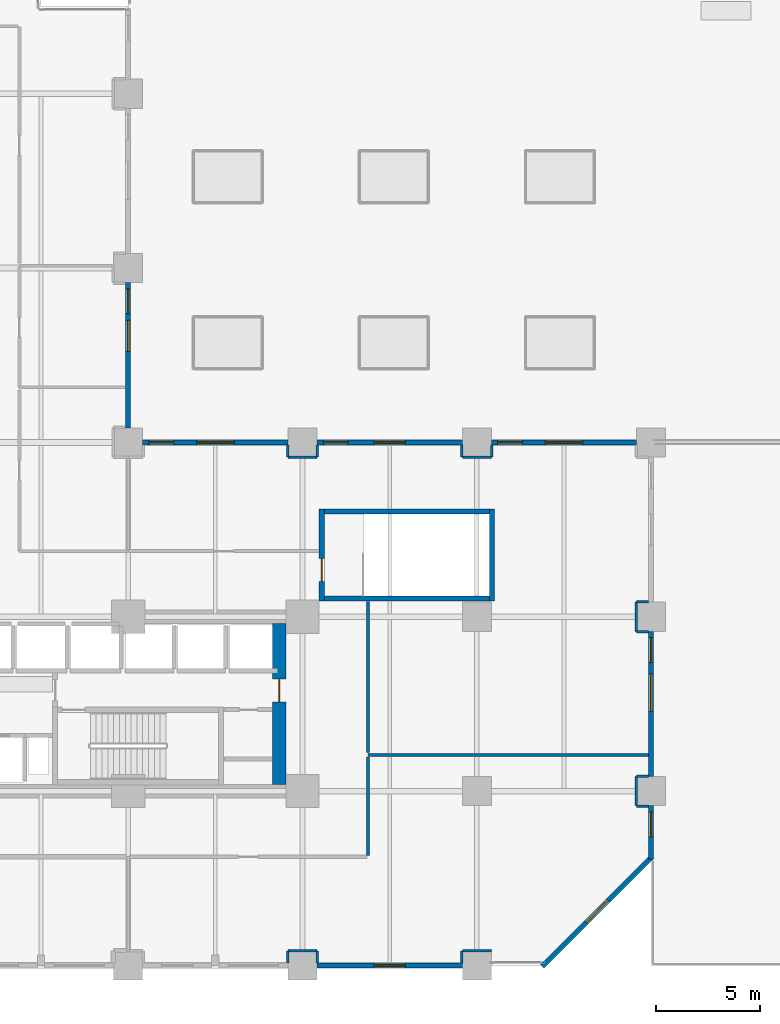
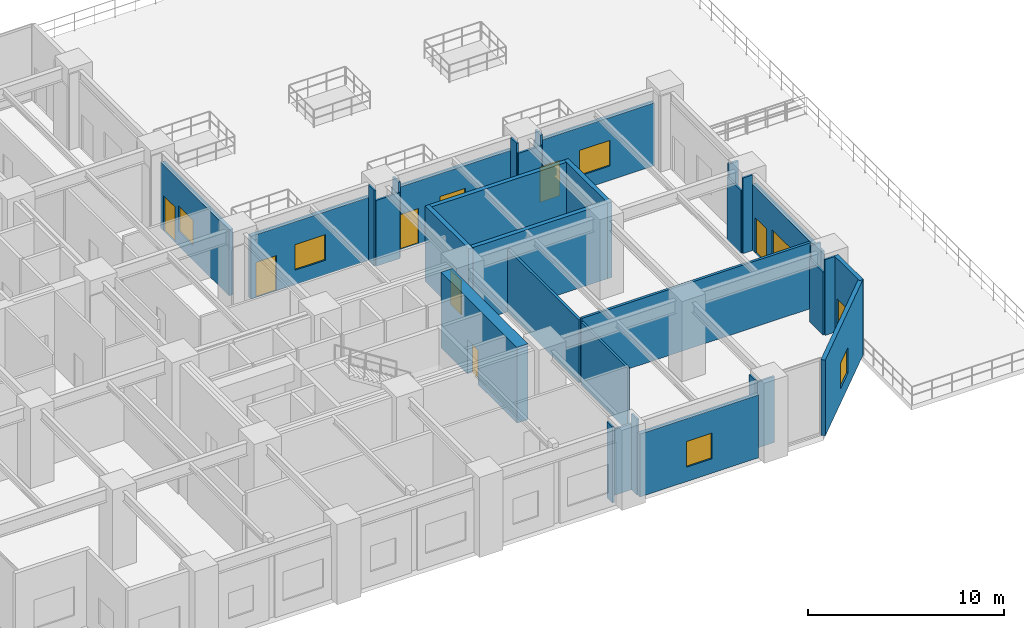
# One storey, part 15 of 21: 33 walls, 8 doors, 7 windows, 15 openings.
"""IFC4 building model written with IfcOpenShell, lengths in metres."""

from ifc_helpers import new_model, si_unit, direction, frame, frame_2d, origin, place, context, subcontext, project, spatial, rectangle, extrude, material, layer, layer_set, type_object, element, fill, save


model = new_model("IFC4")

# Units and contexts
model_context = context("Model", 3, precision=1e-05, world=origin(), true_north=direction((0.0, 1.0)))
body_context = subcontext(model_context, "Body", "Model", "MODEL_VIEW")
ifc_project = project(units=[si_unit("LENGTHUNIT", "METRE"), si_unit("AREAUNIT", "SQUARE_METRE"), si_unit("VOLUMEUNIT", "CUBIC_METRE"), si_unit("PLANEANGLEUNIT", "RADIAN"), si_unit("MASSUNIT", "GRAM", prefix="KILO")], contexts=[model_context])

# Site, building, storey
site_placement = place(None, origin())
site = spatial("IfcSite", under=ifc_project, at=site_placement, CompositionType="ELEMENT")
building_placement = place(site_placement, origin())
building = spatial("IfcBuilding", under=site, at=building_placement, Name="Nerrivon Quay Data Exchange", CompositionType="ELEMENT")
storey_placement = place(building_placement, frame((0.0, 0.0, 19.800048828125)))
storey = spatial("IfcBuildingStorey", under=building, at=storey_placement, Name="L04", CompositionType="ELEMENT", Elevation=19.800048828125)

# Wall, opening, window
ifc_material_1 = material(Name="Architectural terracotta precast concrete N50 (50 MPa)", Category="masonry")
ifc_layer_1 = layer(ifc_material_1, 0.239990234375)
ifc_layer_set_1 = layer_set([ifc_layer_1], Name="Architectural terracotta precast concrete N50 (50 MPa)")
wall_type_1 = type_object("IfcWallType", Name="EW-PREC-240", PredefinedType="STANDARD", material=ifc_layer_set_1)
wall_1_placement = place(storey_placement, frame((50.452880859375, 5.252685546875, 0.0), z_axis=(0.0, 0.0, 1.0), x_axis=(-0.707123050166, -0.707090511833, 0.0)))
wall_1 = element("IfcWall", 1, at=wall_1_placement, inside=storey, type_object=wall_type_1, Name="L04 Podium Precast Spandrel Wall 1", PredefinedType="STANDARD", context=body_context, shape_type="SweptSolid", body=[
    extrude(rectangle(XDim=7.503173828125, YDim=0.239990234375, at=frame_2d((3.75146484375, 0.0))), origin(), (0.0, 0.0, 1.0), 4.724853515625),
])
opening_1_placement = place(wall_1_placement, frame((3.001708984375, 0.0, 0.89990234375)))
opening_1 = element("IfcOpeningElement", 2, at=opening_1_placement, cuts=wall_1, Name="Opening WN4", PredefinedType="OPENING", context=body_context, shape_type="SweptSolid", body=[
    extrude(rectangle(XDim=1.5, YDim=1.60009765625, at=frame_2d((0.75, 0.800048828125))), frame((0.0, 0.1298828125, 0.0), z_axis=(0.0, -1.0, 0.0), x_axis=(1.0, 0.0, 0.0)), (0.0, 0.0, 1.0), 0.260009765625),
])
ifc_material_2 = material(Name="Double-glazed low-E solar control glass", Category="glass")
window_type_1 = type_object("IfcWindowType", Name="WIN-W4-1500x1600", PartitioningType="SINGLE_PANEL", PredefinedType="WINDOW", material=ifc_material_2)
window_1_placement = place(opening_1_placement, origin())
window_1 = element("IfcWindow", 3, at=window_1_placement, inside=storey, type_object=window_type_1, Name="L04 Solar Facade Window 1", OverallHeight=1.60009765625, OverallWidth=1.5, PartitioningType="SINGLE_PANEL", PredefinedType="WINDOW", context=body_context, shape_type="SweptSolid", body=[
    extrude(rectangle(XDim=1.5, YDim=1.60009765625, at=frame_2d((0.75, 0.800048828125))), frame((0.0, 0.030029296875, 0.0), z_axis=(0.0, -1.0, 0.0), x_axis=(1.0, 0.0, 0.0)), (0.0, 0.0, 1.0), 0.06005859375),
])
fill(opening_1, window_1)

wall_2_placement = place(storey_placement, frame((41.300048828125, 0.0, 0.0), z_axis=(0.0, 0.0, 1.0), x_axis=(-1.0, 0.0, 0.0)))
wall_2 = element("IfcWall", 4, at=wall_2_placement, inside=storey, type_object=wall_type_1, Name="L04 Podium Precast Spandrel Wall 3", PredefinedType="STANDARD", context=body_context, shape_type="SweptSolid", body=[
    extrude(rectangle(XDim=7.0, YDim=0.239990234375, at=frame_2d((3.5, 0.0))), origin(), (0.0, 0.0, 1.0), 3.925048828125),
])
opening_2_placement = place(wall_2_placement, frame((2.75, 0.0, 0.89990234375)))
opening_2 = element("IfcOpeningElement", 5, at=opening_2_placement, cuts=wall_2, Name="Opening WN4", PredefinedType="OPENING", context=body_context, shape_type="SweptSolid", body=[
    extrude(rectangle(XDim=1.5, YDim=1.60009765625, at=frame_2d((0.75, 0.800048828125))), frame((0.0, 0.1298828125, 0.0), z_axis=(0.0, -1.0, 0.0), x_axis=(1.0, 0.0, 0.0)), (0.0, 0.0, 1.0), 0.260009765625),
])
window_2_placement = place(opening_2_placement, origin())
window_2 = element("IfcWindow", 6, at=window_2_placement, inside=storey, type_object=window_type_1, Name="L04 Solar Facade Window 3", OverallHeight=1.60009765625, OverallWidth=1.5, PartitioningType="SINGLE_PANEL", PredefinedType="WINDOW", context=body_context, shape_type="SweptSolid", body=[
    extrude(rectangle(XDim=1.5, YDim=1.60009765625, at=frame_2d((0.75, 0.800048828125))), frame((0.0, 0.030029296875, 0.0), z_axis=(0.0, -1.0, 0.0), x_axis=(1.0, 0.0, 0.0)), (0.0, 0.0, 1.0), 0.06005859375),
])
fill(opening_2, window_2)

# Wall, openings, door, window
wall_3_placement = place(storey_placement, frame((25.199951171875, 32.89990234375, 0.0), z_axis=(0.0, 0.0, 1.0), x_axis=(0.0, -1.0, 0.0)))
wall_3 = element("IfcWall", 7, at=wall_3_placement, inside=storey, type_object=wall_type_1, Name="L04 Terrace Host Wall 27", PredefinedType="STANDARD", context=body_context, shape_type="SweptSolid", body=[
    extrude(rectangle(XDim=7.0, YDim=0.239990234375, at=frame_2d((3.5, 0.0))), origin(), (0.0, 0.0, 1.0), 4.113037109375),
])
opening_3_placement = place(wall_3_placement, frame((0.300048828125, 0.0, 0.0)))
opening_3 = element("IfcOpeningElement", 8, at=opening_3_placement, cuts=wall_3, Name="Opening TD1", PredefinedType="OPENING", context=body_context, shape_type="SweptSolid", body=[
    extrude(rectangle(XDim=1.199951171875, YDim=2.199951171875, at=frame_2d((0.60009765625, 1.10009765625))), frame((0.0, 0.1298828125, 0.0), z_axis=(0.0, -1.0, 0.0), x_axis=(1.0, 0.0, 0.0)), (0.0, 0.0, 1.0), 0.260009765625),
])
opening_4_placement = place(wall_3_placement, frame((1.81640625, 0.0, 0.89990234375)))
opening_4 = element("IfcOpeningElement", 9, at=opening_4_placement, cuts=wall_3, Name="Opening WN4", PredefinedType="OPENING", context=body_context, shape_type="SweptSolid", body=[
    extrude(rectangle(XDim=1.5, YDim=1.60009765625, at=frame_2d((0.75, 0.800048828125))), frame((0.0, 0.1298828125, 0.0), z_axis=(0.0, -1.0, 0.0), x_axis=(1.0, 0.0, 0.0)), (0.0, 0.0, 1.0), 0.260009765625),
])
door_type_1 = type_object("IfcDoorType", Name="DR-TERR-1200x2200", OperationType="NOTDEFINED", PredefinedType="DOOR", material=ifc_material_2)
door_1_placement = place(opening_3_placement, origin())
door_1 = element("IfcDoor", 10, at=door_1_placement, inside=storey, type_object=door_type_1, Name="L04 Outdoor Terrace Access Door 27", OperationType="SINGLE_SWING_RIGHT", OverallHeight=2.199951171875, OverallWidth=1.199951171875, PredefinedType="DOOR", context=body_context, shape_type="SweptSolid", body=[
    extrude(rectangle(XDim=1.199951171875, YDim=2.199951171875, at=frame_2d((0.60009765625, 1.10009765625))), frame((0.0, 0.02490234375, 0.0), z_axis=(0.0, -1.0, 0.0), x_axis=(1.0, 0.0, 0.0)), (0.0, 0.0, 1.0), 0.050048828125),
])
fill(opening_3, door_1)
window_3_placement = place(opening_4_placement, origin())
window_3 = element("IfcWindow", 11, at=window_3_placement, inside=storey, type_object=window_type_1, Name="L04 Terrace Side Window 27", OverallHeight=1.60009765625, OverallWidth=1.5, PartitioningType="SINGLE_PANEL", PredefinedType="WINDOW", context=body_context, shape_type="SweptSolid", body=[
    extrude(rectangle(XDim=1.5, YDim=1.60009765625, at=frame_2d((0.75, 0.800048828125))), frame((0.0, 0.030029296875, 0.0), z_axis=(0.0, -1.0, 0.0), x_axis=(1.0, 0.0, 0.0)), (0.0, 0.0, 1.0), 0.06005859375),
])
fill(opening_4, window_3)

wall_4_placement = place(storey_placement, frame((25.89990234375, 25.199951171875, 0.0), z_axis=(0.0, 0.0, 1.0), x_axis=(1.0, 0.0, 0.0)))
wall_4 = element("IfcWall", 12, at=wall_4_placement, inside=storey, type_object=wall_type_1, Name="L04 Terrace Host Wall 28", PredefinedType="STANDARD", context=body_context, shape_type="SweptSolid", body=[
    extrude(rectangle(XDim=7.0, YDim=0.239990234375, at=frame_2d((3.5, 0.0))), origin(), (0.0, 0.0, 1.0), 3.925048828125),
])
opening_5_placement = place(wall_4_placement, frame((0.300048828125, 0.0, 0.0)))
opening_5 = element("IfcOpeningElement", 13, at=opening_5_placement, cuts=wall_4, Name="Opening TD1", PredefinedType="OPENING", context=body_context, shape_type="SweptSolid", body=[
    extrude(rectangle(XDim=1.199951171875, YDim=2.199951171875, at=frame_2d((0.60009765625, 1.10009765625))), frame((0.0, 0.1298828125, 0.0), z_axis=(0.0, -1.0, 0.0), x_axis=(1.0, 0.0, 0.0)), (0.0, 0.0, 1.0), 0.260009765625),
])
opening_6_placement = place(wall_4_placement, frame((2.60009765625, 0.0, 0.89990234375)))
opening_6 = element("IfcOpeningElement", 14, at=opening_6_placement, cuts=wall_4, Name="Opening WN2", PredefinedType="OPENING", context=body_context, shape_type="SweptSolid", body=[
    extrude(rectangle(XDim=1.800048828125, YDim=1.60009765625, at=frame_2d((0.89990234375, 0.800048828125))), frame((0.0, 0.1298828125, 0.0), z_axis=(0.0, -1.0, 0.0), x_axis=(1.0, 0.0, 0.0)), (0.0, 0.0, 1.0), 0.260009765625),
])
door_2_placement = place(opening_5_placement, origin())
door_2 = element("IfcDoor", 15, at=door_2_placement, inside=storey, type_object=door_type_1, Name="L04 Outdoor Terrace Access Door 28", OperationType="SINGLE_SWING_LEFT", OverallHeight=2.199951171875, OverallWidth=1.199951171875, PredefinedType="DOOR", context=body_context, shape_type="SweptSolid", body=[
    extrude(rectangle(XDim=1.199951171875, YDim=2.199951171875, at=frame_2d((0.60009765625, 1.10009765625))), frame((0.0, 0.02490234375, 0.0), z_axis=(0.0, -1.0, 0.0), x_axis=(1.0, 0.0, 0.0)), (0.0, 0.0, 1.0), 0.050048828125),
])
fill(opening_5, door_2)
window_type_2 = type_object("IfcWindowType", Name="WIN-W2-1800x1600", PartitioningType="SINGLE_PANEL", PredefinedType="WINDOW", material=ifc_material_2)
window_4_placement = place(opening_6_placement, origin())
window_4 = element("IfcWindow", 16, at=window_4_placement, inside=storey, type_object=window_type_2, Name="L04 Terrace Side Window 28", OverallHeight=1.60009765625, OverallWidth=1.800048828125, PartitioningType="SINGLE_PANEL", PredefinedType="WINDOW", context=body_context, shape_type="SweptSolid", body=[
    extrude(rectangle(XDim=1.800048828125, YDim=1.60009765625, at=frame_2d((0.89990234375, 0.800048828125))), frame((0.0, 0.030029296875, 0.0), z_axis=(0.0, -1.0, 0.0), x_axis=(1.0, 0.0, 0.0)), (0.0, 0.0, 1.0), 0.06005859375),
])
fill(opening_6, window_4)

wall_5_placement = place(storey_placement, frame((34.300048828125, 25.199951171875, 0.0), z_axis=(0.0, 0.0, 1.0), x_axis=(1.0, 0.0, 0.0)))
wall_5 = element("IfcWall", 17, at=wall_5_placement, inside=storey, type_object=wall_type_1, Name="L04 Terrace Host Wall 29", PredefinedType="STANDARD", context=body_context, shape_type="SweptSolid", body=[
    extrude(rectangle(XDim=7.0, YDim=0.239990234375, at=frame_2d((3.5, 0.0))), origin(), (0.0, 0.0, 1.0), 3.925048828125),
])
opening_7_placement = place(wall_5_placement, frame((0.300048828125, 0.0, 0.0)))
opening_7 = element("IfcOpeningElement", 18, at=opening_7_placement, cuts=wall_5, Name="Opening TD1", PredefinedType="OPENING", context=body_context, shape_type="SweptSolid", body=[
    extrude(rectangle(XDim=1.199951171875, YDim=2.199951171875, at=frame_2d((0.60009765625, 1.10009765625))), frame((0.0, 0.1298828125, 0.0), z_axis=(0.0, -1.0, 0.0), x_axis=(1.0, 0.0, 0.0)), (0.0, 0.0, 1.0), 0.260009765625),
])
opening_8_placement = place(wall_5_placement, frame((2.75, 0.0, 0.89990234375)))
opening_8 = element("IfcOpeningElement", 19, at=opening_8_placement, cuts=wall_5, Name="Opening WN4", PredefinedType="OPENING", context=body_context, shape_type="SweptSolid", body=[
    extrude(rectangle(XDim=1.5, YDim=1.60009765625, at=frame_2d((0.75, 0.800048828125))), frame((0.0, 0.1298828125, 0.0), z_axis=(0.0, -1.0, 0.0), x_axis=(1.0, 0.0, 0.0)), (0.0, 0.0, 1.0), 0.260009765625),
])
door_3_placement = place(opening_7_placement, origin())
door_3 = element("IfcDoor", 20, at=door_3_placement, inside=storey, type_object=door_type_1, Name="L04 Outdoor Terrace Access Door 29", OperationType="SINGLE_SWING_RIGHT", OverallHeight=2.199951171875, OverallWidth=1.199951171875, PredefinedType="DOOR", context=body_context, shape_type="SweptSolid", body=[
    extrude(rectangle(XDim=1.199951171875, YDim=2.199951171875, at=frame_2d((0.60009765625, 1.10009765625))), frame((0.0, 0.02490234375, 0.0), z_axis=(0.0, -1.0, 0.0), x_axis=(1.0, 0.0, 0.0)), (0.0, 0.0, 1.0), 0.050048828125),
])
fill(opening_7, door_3)
window_5_placement = place(opening_8_placement, origin())
window_5 = element("IfcWindow", 21, at=window_5_placement, inside=storey, type_object=window_type_1, Name="L04 Terrace Side Window 29", OverallHeight=1.60009765625, OverallWidth=1.5, PartitioningType="SINGLE_PANEL", PredefinedType="WINDOW", context=body_context, shape_type="SweptSolid", body=[
    extrude(rectangle(XDim=1.5, YDim=1.60009765625, at=frame_2d((0.75, 0.800048828125))), frame((0.0, 0.030029296875, 0.0), z_axis=(0.0, -1.0, 0.0), x_axis=(1.0, 0.0, 0.0)), (0.0, 0.0, 1.0), 0.06005859375),
])
fill(opening_8, window_5)

wall_6_placement = place(storey_placement, frame((42.699951171875, 25.199951171875, 0.0), z_axis=(0.0, 0.0, 1.0), x_axis=(1.0, 0.0, 0.0)))
wall_6 = element("IfcWall", 22, at=wall_6_placement, inside=storey, type_object=wall_type_1, Name="L04 Terrace Host Wall 30", PredefinedType="STANDARD", context=body_context, shape_type="SweptSolid", body=[
    extrude(rectangle(XDim=7.0, YDim=0.239990234375, at=frame_2d((3.5, 0.0))), origin(), (0.0, 0.0, 1.0), 3.925048828125),
])
opening_9_placement = place(wall_6_placement, frame((0.300048828125, 0.0, 0.0)))
opening_9 = element("IfcOpeningElement", 23, at=opening_9_placement, cuts=wall_6, Name="Opening TD1", PredefinedType="OPENING", context=body_context, shape_type="SweptSolid", body=[
    extrude(rectangle(XDim=1.199951171875, YDim=2.199951171875, at=frame_2d((0.60009765625, 1.10009765625))), frame((0.0, 0.1298828125, 0.0), z_axis=(0.0, -1.0, 0.0), x_axis=(1.0, 0.0, 0.0)), (0.0, 0.0, 1.0), 0.260009765625),
])
opening_10_placement = place(wall_6_placement, frame((2.60009765625, 0.0, 0.89990234375)))
opening_10 = element("IfcOpeningElement", 24, at=opening_10_placement, cuts=wall_6, Name="Opening WN2", PredefinedType="OPENING", context=body_context, shape_type="SweptSolid", body=[
    extrude(rectangle(XDim=1.800048828125, YDim=1.60009765625, at=frame_2d((0.89990234375, 0.800048828125))), frame((0.0, 0.1298828125, 0.0), z_axis=(0.0, -1.0, 0.0), x_axis=(1.0, 0.0, 0.0)), (0.0, 0.0, 1.0), 0.260009765625),
])
door_4_placement = place(opening_9_placement, origin())
door_4 = element("IfcDoor", 25, at=door_4_placement, inside=storey, type_object=door_type_1, Name="L04 Outdoor Terrace Access Door 30", OperationType="SINGLE_SWING_LEFT", OverallHeight=2.199951171875, OverallWidth=1.199951171875, PredefinedType="DOOR", context=body_context, shape_type="SweptSolid", body=[
    extrude(rectangle(XDim=1.199951171875, YDim=2.199951171875, at=frame_2d((0.60009765625, 1.10009765625))), frame((0.0, 0.02490234375, 0.0), z_axis=(0.0, -1.0, 0.0), x_axis=(1.0, 0.0, 0.0)), (0.0, 0.0, 1.0), 0.050048828125),
])
fill(opening_9, door_4)
window_6_placement = place(opening_10_placement, origin())
window_6 = element("IfcWindow", 26, at=window_6_placement, inside=storey, type_object=window_type_2, Name="L04 Terrace Side Window 30", OverallHeight=1.60009765625, OverallWidth=1.800048828125, PartitioningType="SINGLE_PANEL", PredefinedType="WINDOW", context=body_context, shape_type="SweptSolid", body=[
    extrude(rectangle(XDim=1.800048828125, YDim=1.60009765625, at=frame_2d((0.89990234375, 0.800048828125))), frame((0.0, 0.030029296875, 0.0), z_axis=(0.0, -1.0, 0.0), x_axis=(1.0, 0.0, 0.0)), (0.0, 0.0, 1.0), 0.06005859375),
])
fill(opening_10, window_6)

wall_7_placement = place(storey_placement, frame((50.39990234375, 16.10009765625, 0.0), z_axis=(0.0, 0.0, 1.0), x_axis=(0.0, -1.0, 0.0)))
wall_7 = element("IfcWall", 27, at=wall_7_placement, inside=storey, type_object=wall_type_1, Name="L04 Terrace Host Wall 32", PredefinedType="STANDARD", context=body_context, shape_type="SweptSolid", body=[
    extrude(rectangle(XDim=7.0, YDim=0.239990234375, at=frame_2d((3.5, 0.0))), origin(), (0.0, 0.0, 1.0), 4.113037109375),
])
opening_11_placement = place(wall_7_placement, frame((0.300048828125, 0.0, 0.0)))
opening_11 = element("IfcOpeningElement", 28, at=opening_11_placement, cuts=wall_7, Name="Opening TD1", PredefinedType="OPENING", context=body_context, shape_type="SweptSolid", body=[
    extrude(rectangle(XDim=1.199951171875, YDim=2.199951171875, at=frame_2d((0.60009765625, 1.10009765625))), frame((0.0, 0.1298828125, 0.0), z_axis=(0.0, -1.0, 0.0), x_axis=(1.0, 0.0, 0.0)), (0.0, 0.0, 1.0), 0.260009765625),
])
opening_12_placement = place(wall_7_placement, frame((2.068115234375, 0.0, 0.89990234375)))
opening_12 = element("IfcOpeningElement", 29, at=opening_12_placement, cuts=wall_7, Name="Opening WN2", PredefinedType="OPENING", context=body_context, shape_type="SweptSolid", body=[
    extrude(rectangle(XDim=1.800048828125, YDim=1.60009765625, at=frame_2d((0.89990234375, 0.800048828125))), frame((0.0, 0.1298828125, 0.0), z_axis=(0.0, -1.0, 0.0), x_axis=(1.0, 0.0, 0.0)), (0.0, 0.0, 1.0), 0.260009765625),
])
door_5_placement = place(opening_11_placement, origin())
door_5 = element("IfcDoor", 30, at=door_5_placement, inside=storey, type_object=door_type_1, Name="L04 Outdoor Terrace Access Door 32", OperationType="SINGLE_SWING_LEFT", OverallHeight=2.199951171875, OverallWidth=1.199951171875, PredefinedType="DOOR", context=body_context, shape_type="SweptSolid", body=[
    extrude(rectangle(XDim=1.199951171875, YDim=2.199951171875, at=frame_2d((0.60009765625, 1.10009765625))), frame((0.0, 0.02490234375, 0.0), z_axis=(0.0, -1.0, 0.0), x_axis=(1.0, 0.0, 0.0)), (0.0, 0.0, 1.0), 0.050048828125),
])
fill(opening_11, door_5)
window_7_placement = place(opening_12_placement, origin())
window_7 = element("IfcWindow", 31, at=window_7_placement, inside=storey, type_object=window_type_2, Name="L04 Terrace Side Window 32", OverallHeight=1.60009765625, OverallWidth=1.800048828125, PartitioningType="SINGLE_PANEL", PredefinedType="WINDOW", context=body_context, shape_type="SweptSolid", body=[
    extrude(rectangle(XDim=1.800048828125, YDim=1.60009765625, at=frame_2d((0.89990234375, 0.800048828125))), frame((0.0, 0.030029296875, 0.0), z_axis=(0.0, -1.0, 0.0), x_axis=(1.0, 0.0, 0.0)), (0.0, 0.0, 1.0), 0.06005859375),
])
fill(opening_12, window_7)

# Wall, opening, door
wall_8_placement = place(storey_placement, frame((50.39990234375, 7.699951171875, 0.0), z_axis=(0.0, 0.0, 1.0), x_axis=(0.0, -1.0, 0.0)))
wall_8 = element("IfcWall", 32, at=wall_8_placement, inside=storey, type_object=wall_type_1, Name="L04 Terrace Host Wall 33", PredefinedType="STANDARD", context=body_context, shape_type="SweptSolid", body=[
    extrude(rectangle(XDim=2.57470703125, YDim=0.239990234375, at=frame_2d((1.287353515625, 0.0))), origin(), (0.0, 0.0, 1.0), 4.724853515625),
])
opening_13_placement = place(wall_8_placement, frame((0.300048828125, 0.0, 0.0)))
opening_13 = element("IfcOpeningElement", 33, at=opening_13_placement, cuts=wall_8, Name="Opening TD1", PredefinedType="OPENING", context=body_context, shape_type="SweptSolid", body=[
    extrude(rectangle(XDim=1.199951171875, YDim=2.199951171875, at=frame_2d((0.60009765625, 1.10009765625))), frame((0.0, 0.1298828125, 0.0), z_axis=(0.0, -1.0, 0.0), x_axis=(1.0, 0.0, 0.0)), (0.0, 0.0, 1.0), 0.260009765625),
])
door_6_placement = place(opening_13_placement, origin())
door_6 = element("IfcDoor", 34, at=door_6_placement, inside=storey, type_object=door_type_1, Name="L04 Outdoor Terrace Access Door 33", OperationType="SINGLE_SWING_RIGHT", OverallHeight=2.199951171875, OverallWidth=1.199951171875, PredefinedType="DOOR", context=body_context, shape_type="SweptSolid", body=[
    extrude(rectangle(XDim=1.199951171875, YDim=2.199951171875, at=frame_2d((0.60009765625, 1.10009765625))), frame((0.0, 0.02490234375, 0.0), z_axis=(0.0, -1.0, 0.0), x_axis=(1.0, 0.0, 0.0)), (0.0, 0.0, 1.0), 0.050048828125),
])
fill(opening_13, door_6)

ifc_material_3 = material(Name="Concrete N80 (80 MPa)", Category="concrete")
ifc_layer_2 = layer(ifc_material_3, 0.64990234375)
ifc_layer_set_2 = layer_set([ifc_layer_2], Name="Concrete N80 (80 MPa)")
wall_type_2 = type_object("IfcWallType", Name="WALL-CW-850", PredefinedType="SHEAR", material=ifc_layer_set_2)
wall_9_placement = place(storey_placement, frame((32.47509765625, 8.72509765625, 0.0), z_axis=(0.0, 0.0, 1.0), x_axis=(0.0, 1.0, 0.0)))
wall_9 = element("IfcWall", 35, at=wall_9_placement, inside=storey, type_object=wall_type_2, Name="L04 East Split-Core Shear Wall ECW-E1", PredefinedType="SHEAR", context=body_context, shape_type="SweptSolid", body=[
    extrude(rectangle(XDim=7.75, YDim=0.64990234375, at=frame_2d((3.875, 0.0))), origin(), (0.0, 0.0, 1.0), 4.724853515625),
])
opening_14_placement = place(wall_9_placement, frame((3.97509765625, 0.0, 0.0)))
opening_14 = element("IfcOpeningElement", 36, at=opening_14_placement, cuts=wall_9, Name="Opening FD-120", PredefinedType="OPENING", context=body_context, shape_type="SweptSolid", body=[
    extrude(rectangle(XDim=1.10009765625, YDim=2.14990234375, at=frame_2d((0.550048828125, 1.074951171875))), frame((0.0, 0.3349609375, 0.0), z_axis=(0.0, -1.0, 0.0), x_axis=(1.0, 0.0, 0.0)), (0.0, 0.0, 1.0), 0.669921875),
])
ifc_material_4 = material(Name="Powder-coated galvanized steel sheet", Category="steel")
door_type_2 = type_object("IfcDoorType", Name="DR-FD120-1100", OperationType="NOTDEFINED", PredefinedType="DOOR", material=ifc_material_4)
door_7_placement = place(opening_14_placement, origin())
door_7 = element("IfcDoor", 37, at=door_7_placement, inside=storey, type_object=door_type_2, Name="L04 East Core Lobby Fire Door", OperationType="SINGLE_SWING_RIGHT", OverallHeight=2.14990234375, OverallWidth=1.10009765625, PredefinedType="DOOR", context=body_context, shape_type="SweptSolid", body=[
    extrude(rectangle(XDim=1.10009765625, YDim=2.14990234375, at=frame_2d((0.550048828125, 1.074951171875))), frame((0.0, 0.02490234375, 0.0), z_axis=(0.0, -1.0, 0.0), x_axis=(1.0, 0.0, 0.0)), (0.0, 0.0, 1.0), 0.050048828125),
])
fill(opening_14, door_7)

# Walls
ifc_material_5 = material(Name="Gypsum plasterboard on cold-formed framing", Category="gypsum")
ifc_layer_3 = layer(ifc_material_5, 0.1201171875)
ifc_layer_set_3 = layer_set([ifc_layer_3], Name="Gypsum plasterboard on cold-formed framing")
wall_type_3 = type_object("IfcWallType", Name="WALL-PT-120", PredefinedType="PARTITIONING", material=ifc_layer_set_3)
wall_10_placement = place(storey_placement, frame((32.8798828125, 0.1240234375, 0.0), z_axis=(0.0, 0.0, 1.0), x_axis=(0.0, 1.0, 0.0)))
element("IfcWall", 38, at=wall_10_placement, inside=storey, type_object=wall_type_3, Name="L04 Partition Quiet Reading Room", PredefinedType="PARTITIONING", context=body_context, shape_type="SweptSolid", body=[
    extrude(rectangle(XDim=0.575927734375, YDim=0.1201171875, at=frame_2d((0.2880859375, 0.0))), origin(), (0.0, 0.0, 1.0), 4.724853515625),
])
wall_11_placement = place(storey_placement, frame((32.89990234375, 0.719970703125, 0.0), z_axis=(0.0, 0.0, 1.0), x_axis=(1.0, 0.0, 0.0)))
element("IfcWall", 39, at=wall_11_placement, inside=storey, type_object=wall_type_3, Name="L04 Partition Quiet Reading Room", PredefinedType="PARTITIONING", context=body_context, shape_type="SweptSolid", body=[
    extrude(rectangle(XDim=1.400146484375, YDim=0.1201171875, at=frame_2d((0.7001953125, 0.0))), origin(), (0.0, 0.0, 1.0), 4.113037109375),
])
for number, where, z_axis, x_axis, name in (
    (40, (34.320068359375, 0.699951171875, 0.0), (0.0, 0.0, 1.0), (0.0, -1.0, 0.0), "L04 Partition Quiet Reading Room"),
    (41, (41.280029296875, 0.1240234375, 0.0), (0.0, 0.0, 1.0), (0.0, 1.0, 0.0), "L04 Partition Quiet Reading Room"),
):
    element("IfcWall", number, at=place(storey_placement, frame(where, z_axis=z_axis, x_axis=x_axis)), inside=storey, type_object=wall_type_3, Name=name, PredefinedType="PARTITIONING", context=body_context, shape_type="SweptSolid", body=[
        extrude(rectangle(XDim=0.575927734375, YDim=0.1201171875, at=frame_2d((0.2880859375, 0.0))), origin(), (0.0, 0.0, 1.0), 4.724853515625),
    ])
wall_12_placement = place(storey_placement, frame((41.300048828125, 0.719970703125, 0.0), z_axis=(0.0, 0.0, 1.0), x_axis=(1.0, 0.0, 0.0)))
element("IfcWall", 42, at=wall_12_placement, inside=storey, type_object=wall_type_3, Name="L04 Partition Quiet Reading Room", PredefinedType="PARTITIONING", context=body_context, shape_type="SweptSolid", body=[
    extrude(rectangle(XDim=1.39990234375, YDim=0.1201171875, at=frame_2d((0.699951171875, 0.0))), origin(), (0.0, 0.0, 1.0), 4.113037109375),
])
wall_13_placement = place(storey_placement, frame((50.27587890625, 7.679931640625, 0.0), z_axis=(0.0, 0.0, 1.0), x_axis=(-1.0, 0.0, 0.0)))
element("IfcWall", 43, at=wall_13_placement, inside=storey, type_object=wall_type_3, Name="L04 Partition Quiet Reading Room", PredefinedType="PARTITIONING", context=body_context, shape_type="SweptSolid", body=[
    extrude(rectangle(XDim=0.575927734375, YDim=0.1201171875, at=frame_2d((0.2880859375, 0.0))), origin(), (0.0, 0.0, 1.0), 4.724853515625),
])
wall_14_placement = place(storey_placement, frame((49.679931640625, 7.699951171875, 0.0), z_axis=(0.0, 0.0, 1.0), x_axis=(0.0, 1.0, 0.0)))
element("IfcWall", 44, at=wall_14_placement, inside=storey, type_object=wall_type_3, Name="L04 Partition Quiet Reading Room", PredefinedType="PARTITIONING", context=body_context, shape_type="SweptSolid", body=[
    extrude(rectangle(XDim=1.400146484375, YDim=0.1201171875, at=frame_2d((0.7001953125, 0.0))), origin(), (0.0, 0.0, 1.0), 3.925048828125),
])
for number, where, z_axis, x_axis, name in (
    (45, (49.699951171875, 9.1201171875, 0.0), (0.0, 0.0, 1.0), (1.0, 0.0, 0.0), "L04 Partition Quiet Reading Room"),
    (46, (50.27587890625, 16.080078125, 0.0), (0.0, 0.0, 1.0), (-1.0, 0.0, 0.0), "L04 Partition Staff Bistro"),
):
    element("IfcWall", number, at=place(storey_placement, frame(where, z_axis=z_axis, x_axis=x_axis)), inside=storey, type_object=wall_type_3, Name=name, PredefinedType="PARTITIONING", context=body_context, shape_type="SweptSolid", body=[
        extrude(rectangle(XDim=0.575927734375, YDim=0.1201171875, at=frame_2d((0.2880859375, 0.0))), origin(), (0.0, 0.0, 1.0), 4.724853515625),
    ])
wall_15_placement = place(storey_placement, frame((49.679931640625, 16.10009765625, 0.0), z_axis=(0.0, 0.0, 1.0), x_axis=(0.0, 1.0, 0.0)))
element("IfcWall", 47, at=wall_15_placement, inside=storey, type_object=wall_type_3, Name="L04 Partition Staff Bistro", PredefinedType="PARTITIONING", context=body_context, shape_type="SweptSolid", body=[
    extrude(rectangle(XDim=1.39990234375, YDim=0.1201171875, at=frame_2d((0.699951171875, 0.0))), origin(), (0.0, 0.0, 1.0), 3.925048828125),
])
for number, where, z_axis, x_axis, name in (
    (48, (49.699951171875, 17.52001953125, 0.0), (0.0, 0.0, 1.0), (1.0, 0.0, 0.0), "L04 Partition Staff Bistro"),
    (49, (42.719970703125, 25.075927734375, 0.0), (0.0, 0.0, 1.0), (0.0, -1.0, 0.0), "L04 Partition Staff Bistro"),
):
    element("IfcWall", number, at=place(storey_placement, frame(where, z_axis=z_axis, x_axis=x_axis)), inside=storey, type_object=wall_type_3, Name=name, PredefinedType="PARTITIONING", context=body_context, shape_type="SweptSolid", body=[
        extrude(rectangle(XDim=0.575927734375, YDim=0.1201171875, at=frame_2d((0.2880859375, 0.0))), origin(), (0.0, 0.0, 1.0), 4.724853515625),
    ])
wall_16_placement = place(storey_placement, frame((42.699951171875, 24.47998046875, 0.0), z_axis=(0.0, 0.0, 1.0), x_axis=(-1.0, 0.0, 0.0)))
element("IfcWall", 50, at=wall_16_placement, inside=storey, type_object=wall_type_3, Name="L04 Partition Staff Bistro", PredefinedType="PARTITIONING", context=body_context, shape_type="SweptSolid", body=[
    extrude(rectangle(XDim=1.39990234375, YDim=0.1201171875, at=frame_2d((0.699951171875, 0.0))), origin(), (0.0, 0.0, 1.0), 4.113037109375),
])
for number, where, z_axis, x_axis, name in (
    (51, (41.280029296875, 24.5, 0.0), (0.0, 0.0, 1.0), (0.0, 1.0, 0.0), "L04 Partition Staff Bistro"),
    (52, (34.320068359375, 25.075927734375, 0.0), (0.0, 0.0, 1.0), (0.0, -1.0, 0.0), "L04 Partition Staff Bistro"),
):
    element("IfcWall", number, at=place(storey_placement, frame(where, z_axis=z_axis, x_axis=x_axis)), inside=storey, type_object=wall_type_3, Name=name, PredefinedType="PARTITIONING", context=body_context, shape_type="SweptSolid", body=[
        extrude(rectangle(XDim=0.575927734375, YDim=0.1201171875, at=frame_2d((0.2880859375, 0.0))), origin(), (0.0, 0.0, 1.0), 4.724853515625),
    ])
wall_17_placement = place(storey_placement, frame((34.300048828125, 24.47998046875, 0.0), z_axis=(0.0, 0.0, 1.0), x_axis=(-1.0, 0.0, 0.0)))
element("IfcWall", 53, at=wall_17_placement, inside=storey, type_object=wall_type_3, Name="L04 Partition Staff Bistro", PredefinedType="PARTITIONING", context=body_context, shape_type="SweptSolid", body=[
    extrude(rectangle(XDim=1.400146484375, YDim=0.1201171875, at=frame_2d((0.7001953125, 0.0))), origin(), (0.0, 0.0, 1.0), 4.113037109375),
])
wall_18_placement = place(storey_placement, frame((32.8798828125, 24.5, 0.0), z_axis=(0.0, 0.0, 1.0), x_axis=(0.0, 1.0, 0.0)))
element("IfcWall", 54, at=wall_18_placement, inside=storey, type_object=wall_type_3, Name="L04 Partition Staff Bistro", PredefinedType="PARTITIONING", context=body_context, shape_type="SweptSolid", body=[
    extrude(rectangle(XDim=0.575927734375, YDim=0.1201171875, at=frame_2d((0.2880859375, 0.0))), origin(), (0.0, 0.0, 1.0), 4.724853515625),
])
ifc_layer_4 = layer(ifc_material_5, 0.135009765625)
ifc_layer_set_4 = layer_set([ifc_layer_4], Name="Gypsum plasterboard on cold-formed framing")
wall_type_4 = type_object("IfcWallType", Name="WALL-PT-135", PredefinedType="PARTITIONING", material=ifc_layer_set_4)
wall_19_placement = place(storey_placement, frame((36.760009765625, 10.0546875, 0.0), z_axis=(0.0, 0.0, 1.0), x_axis=(0.0, -1.0, 0.0)))
element("IfcWall", 55, at=wall_19_placement, inside=storey, type_object=wall_type_4, Name="L04 Partition Quiet Reading Room", PredefinedType="PARTITIONING", context=body_context, shape_type="SweptSolid", body=[
    extrude(rectangle(XDim=4.754638671875, YDim=0.135009765625, at=frame_2d((2.37744140625, 0.0))), origin(), (0.0, 0.0, 1.0), 3.925048828125),
])
ifc_layer_5 = layer(ifc_material_5, 0.14990234375)
ifc_layer_set_5 = layer_set([ifc_layer_5], Name="Gypsum plasterboard on cold-formed framing")
wall_type_5 = type_object("IfcWallType", Name="WALL-PT-150", PredefinedType="PARTITIONING", material=ifc_layer_set_5)
wall_20_placement = place(storey_placement, frame((50.27587890625, 10.133544921875, 0.0), z_axis=(0.0, 0.0, 1.0), x_axis=(-1.0, 0.0, 0.0)))
element("IfcWall", 56, at=wall_20_placement, inside=storey, type_object=wall_type_5, Name="L04 Partition Quiet Reading Room", PredefinedType="PARTITIONING", context=body_context, shape_type="SweptSolid", body=[
    extrude(rectangle(XDim=13.515869140625, YDim=0.14990234375, at=frame_2d((6.7578125, 0.0))), origin(), (0.0, 0.0, 1.0), 4.113037109375),
])
wall_21_placement = place(storey_placement, frame((36.760009765625, 17.5458984375, 0.0), z_axis=(0.0, 0.0, 1.0), x_axis=(0.0, -1.0, 0.0)))
element("IfcWall", 57, at=wall_21_placement, inside=storey, type_object=wall_type_5, Name="L04 Partition Staff Bistro", PredefinedType="PARTITIONING", context=body_context, shape_type="SweptSolid", body=[
    extrude(rectangle(XDim=7.292236328125, YDim=0.14990234375, at=frame_2d((3.64599609375, 0.0))), origin(), (0.0, 0.0, 1.0), 3.925048828125),
])

# Wall, opening, door
ifc_material_6 = material(Name="Concrete N50 (50 MPa)", Category="concrete")
ifc_layer_6 = layer(ifc_material_6, 0.25)
ifc_layer_set_6 = layer_set([ifc_layer_6], Name="Concrete N50 (50 MPa)")
wall_type_6 = type_object("IfcWallType", Name="WALL-SW-250", PredefinedType="SHEAR", material=ifc_layer_set_6)
wall_22_placement = place(storey_placement, frame((34.52490234375, 17.550048828125, 0.0), z_axis=(0.0, 0.0, 1.0), x_axis=(0.0, 1.0, 0.0)))
wall_22 = element("IfcWall", 58, at=wall_22_placement, inside=storey, type_object=wall_type_6, Name="L04 ST03 Structural Stair Core Wall NEAR", PredefinedType="SHEAR", context=body_context, shape_type="SweptSolid", body=[
    extrude(rectangle(XDim=4.449951171875, YDim=0.25, at=frame_2d((2.22509765625, 0.0))), origin(), (0.0, 0.0, 1.0), 4.724853515625),
])
opening_15_placement = place(wall_22_placement, frame((0.949951171875, 0.0, 0.0)))
opening_15 = element("IfcOpeningElement", 59, at=opening_15_placement, cuts=wall_22, Name="Opening FD-120", PredefinedType="OPENING", context=body_context, shape_type="SweptSolid", body=[
    extrude(rectangle(XDim=1.10009765625, YDim=2.14990234375, at=frame_2d((0.550048828125, 1.074951171875))), frame((0.0, 0.135009765625, 0.0), z_axis=(0.0, -1.0, 0.0), x_axis=(1.0, 0.0, 0.0)), (0.0, 0.0, 1.0), 0.27001953125),
])
door_8_placement = place(opening_15_placement, origin())
door_8 = element("IfcDoor", 60, at=door_8_placement, inside=storey, type_object=door_type_2, Name="L04 Protected Stair Door ST03", OperationType="SINGLE_SWING_RIGHT", OverallHeight=2.14990234375, OverallWidth=1.10009765625, PredefinedType="DOOR", context=body_context, shape_type="SweptSolid", body=[
    extrude(rectangle(XDim=1.10009765625, YDim=2.14990234375, at=frame_2d((0.550048828125, 1.074951171875))), frame((0.0, 0.02490234375, 0.0), z_axis=(0.0, -1.0, 0.0), x_axis=(1.0, 0.0, 0.0)), (0.0, 0.0, 1.0), 0.050048828125),
])
fill(opening_15, door_8)

# Walls
wall_23_placement = place(storey_placement, frame((42.72509765625, 17.550048828125, 0.0), z_axis=(0.0, 0.0, 1.0), x_axis=(0.0, 1.0, 0.0)))
element("IfcWall", 61, at=wall_23_placement, inside=storey, type_object=wall_type_6, Name="L04 ST03 Structural Stair Core Wall FAR", PredefinedType="SHEAR", context=body_context, shape_type="SweptSolid", body=[
    extrude(rectangle(XDim=4.449951171875, YDim=0.25, at=frame_2d((2.22509765625, 0.0))), origin(), (0.0, 0.0, 1.0), 4.724853515625),
])
for number, where, z_axis, x_axis, name in (
    (62, (34.64990234375, 17.675048828125, 0.0), (0.0, 0.0, 1.0), (1.0, 0.0, 0.0), "L04 ST03 Structural Stair Core Wall LEFT"),
    (63, (34.64990234375, 21.875, 0.0), (0.0, 0.0, 1.0), (1.0, 0.0, 0.0), "L04 ST03 Structural Stair Core Wall RIGHT"),
):
    element("IfcWall", number, at=place(storey_placement, frame(where, z_axis=z_axis, x_axis=x_axis)), inside=storey, type_object=wall_type_6, Name=name, PredefinedType="SHEAR", context=body_context, shape_type="SweptSolid", body=[
        extrude(rectangle(XDim=7.9501953125, YDim=0.25, at=frame_2d((3.97509765625, 0.0))), origin(), (0.0, 0.0, 1.0), 4.724853515625),
    ])

save(model, "model.ifc")
